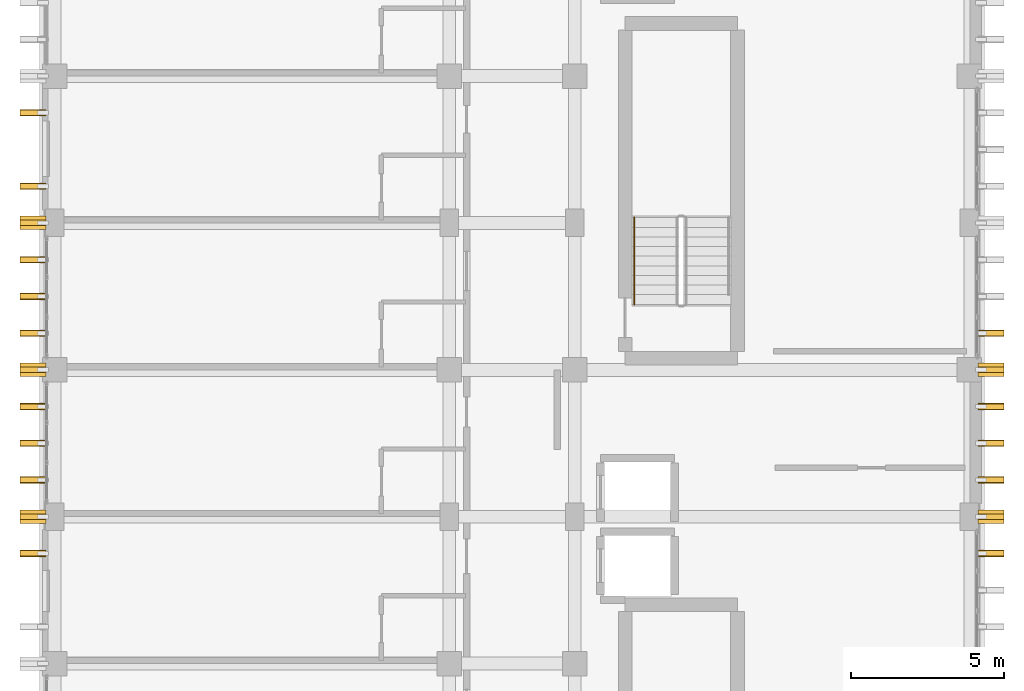
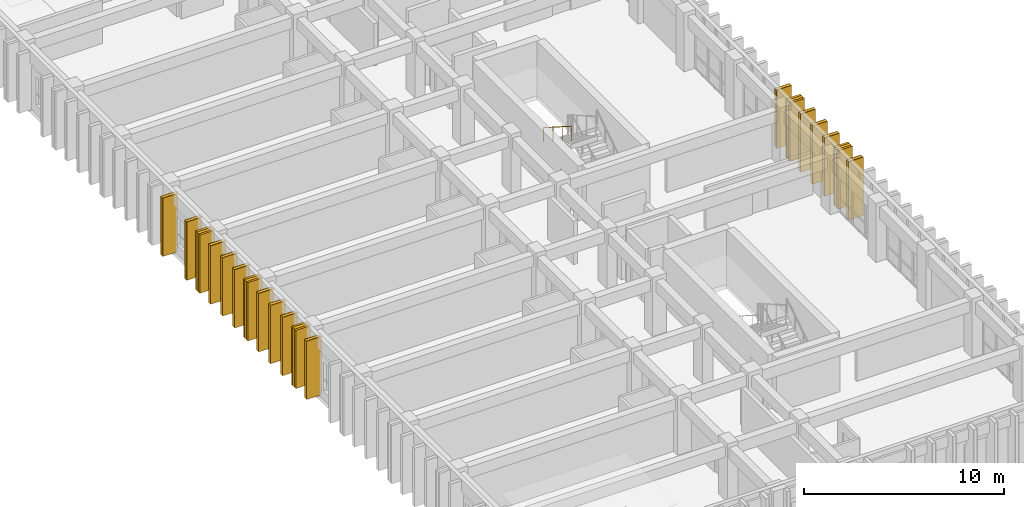
# One storey, part 74 of 82: 19 coverings, 19 shading devices, 1 railing.
"""IFC4 building model written with IfcOpenShell, lengths in metres."""

from ifc_helpers import new_model, si_unit, direction, frame, origin, origin_2d, place, context, subcontext, project, spatial, rectangle, circle, extrude, material, layer, layer_set, type_object, element, save


model = new_model("IFC4")

# Units and contexts
model_context = context("Model", 3, precision=1e-05, world=origin(), true_north=direction((0.0, 1.0)))
body_context = subcontext(model_context, "Body", "Model", "MODEL_VIEW")
ifc_project = project(units=[si_unit("LENGTHUNIT", "METRE"), si_unit("AREAUNIT", "SQUARE_METRE"), si_unit("VOLUMEUNIT", "CUBIC_METRE"), si_unit("PLANEANGLEUNIT", "RADIAN"), si_unit("MASSUNIT", "GRAM", prefix="KILO")], contexts=[model_context])

# Site, building, storey
site_placement = place(None, origin())
site = spatial("IfcSite", under=ifc_project, at=site_placement, CompositionType="ELEMENT")
building_placement = place(site_placement, origin())
building = spatial("IfcBuilding", under=site, at=building_placement, Name="Nakhvara Creek Congress Hotel", CompositionType="ELEMENT")
storey_placement = place(building_placement, frame((0.0, 0.0, 21.0)))
storey = spatial("IfcBuildingStorey", under=building, at=storey_placement, Name="L04", CompositionType="ELEMENT", Elevation=21.0)

# Coverings
ifc_material_1 = material(Name="Honed pale Omani limestone architectural cladding", Category="masonry")
ifc_layer = layer(ifc_material_1, 0.219970703125)
ifc_layer_set = layer_set([ifc_layer], Name="Honed pale Omani limestone architectural cladding")
covering_type = type_object("IfcCoveringType", Name="COV-FIN-850", PredefinedType="CLADDING", material=ifc_layer_set)
for number, where, z_axis, x_axis, name in (
    (1, (180.054931640625, 42.0, 0.0), (0.0, 0.0, 1.0), (0.0, 1.0, 0.0), "Pale Limestone Fin Cladding CF01-1237"),
    (2, (148.7451171875, 42.0, 0.0), (0.0, 0.0, 1.0), (0.0, 1.0, 0.0), "Pale Limestone Fin Cladding CF01-1238"),
):
    element("IfcCovering", number, at=place(storey_placement, frame(where, z_axis=z_axis, x_axis=x_axis)), inside=storey, type_object=covering_type, Name=name, PredefinedType="CLADDING", context=body_context, shape_type="SweptSolid", body=[
        extrude(rectangle(XDim=0.219970703125, YDim=0.85009765625, at=origin_2d()), origin(), (0.0, 0.0, 1.0), 3.56005859375),
    ])
for number, where, z_axis, x_axis, name in (
    (3, (180.054931640625, 43.199951171875, 0.0), (0.0, 0.0, 1.0), (0.0, 1.0, 0.0), "Pale Limestone Fin Cladding CF01-1239"),
    (4, (148.7451171875, 43.199951171875, 0.0), (0.0, 0.0, 1.0), (0.0, 1.0, 0.0), "Pale Limestone Fin Cladding CF01-1240"),
):
    element("IfcCovering", number, at=place(storey_placement, frame(where, z_axis=z_axis, x_axis=x_axis)), inside=storey, type_object=covering_type, Name=name, PredefinedType="CLADDING", context=body_context, shape_type="SweptSolid", body=[
        extrude(rectangle(XDim=0.43994140625, YDim=0.85009765625, at=origin_2d()), origin(), (0.0, 0.0, 1.0), 3.56005859375),
    ])
for number, where, z_axis, x_axis, name in (
    (5, (180.054931640625, 44.39990234375, 0.0), (0.0, 0.0, 1.0), (0.0, 1.0, 0.0), "Pale Limestone Fin Cladding CF01-1241"),
    (6, (148.7451171875, 44.39990234375, 0.0), (0.0, 0.0, 1.0), (0.0, 1.0, 0.0), "Pale Limestone Fin Cladding CF01-1242"),
    (7, (180.054931640625, 45.60009765625, 0.0), (0.0, 0.0, 1.0), (0.0, 1.0, 0.0), "Pale Limestone Fin Cladding CF01-1243"),
    (8, (148.7451171875, 45.60009765625, 0.0), (0.0, 0.0, 1.0), (0.0, 1.0, 0.0), "Pale Limestone Fin Cladding CF01-1244"),
    (9, (180.054931640625, 46.800048828125, 0.0), (0.0, 0.0, 1.0), (0.0, 1.0, 0.0), "Pale Limestone Fin Cladding CF01-1245"),
    (10, (148.7451171875, 46.800048828125, 0.0), (0.0, 0.0, 1.0), (0.0, 1.0, 0.0), "Pale Limestone Fin Cladding CF01-1246"),
):
    element("IfcCovering", number, at=place(storey_placement, frame(where, z_axis=z_axis, x_axis=x_axis)), inside=storey, type_object=covering_type, Name=name, PredefinedType="CLADDING", context=body_context, shape_type="SweptSolid", body=[
        extrude(rectangle(XDim=0.219970703125, YDim=0.85009765625, at=origin_2d()), origin(), (0.0, 0.0, 1.0), 3.56005859375),
    ])
for number, where, z_axis, x_axis, name in (
    (11, (180.054931640625, 48.0, 0.0), (0.0, 0.0, 1.0), (0.0, 1.0, 0.0), "Pale Limestone Fin Cladding CF01-1247"),
    (12, (148.7451171875, 48.0, 0.0), (0.0, 0.0, 1.0), (0.0, 1.0, 0.0), "Pale Limestone Fin Cladding CF01-1248"),
):
    element("IfcCovering", number, at=place(storey_placement, frame(where, z_axis=z_axis, x_axis=x_axis)), inside=storey, type_object=covering_type, Name=name, PredefinedType="CLADDING", context=body_context, shape_type="SweptSolid", body=[
        extrude(rectangle(XDim=0.43994140625, YDim=0.85009765625, at=origin_2d()), origin(), (0.0, 0.0, 1.0), 3.56005859375),
    ])
for number, where, z_axis, x_axis, name in (
    (13, (180.054931640625, 49.199951171875, 0.0), (0.0, 0.0, 1.0), (0.0, 1.0, 0.0), "Pale Limestone Fin Cladding CF01-1249"),
    (14, (148.7451171875, 49.199951171875, 0.0), (0.0, 0.0, 1.0), (0.0, 1.0, 0.0), "Pale Limestone Fin Cladding CF01-1250"),
    (15, (148.7451171875, 50.39990234375, 0.0), (0.0, 0.0, 1.0), (0.0, 1.0, 0.0), "Pale Limestone Fin Cladding CF01-1252"),
    (16, (148.7451171875, 51.60009765625, 0.0), (0.0, 0.0, 1.0), (0.0, 1.0, 0.0), "Pale Limestone Fin Cladding CF01-1254"),
):
    element("IfcCovering", number, at=place(storey_placement, frame(where, z_axis=z_axis, x_axis=x_axis)), inside=storey, type_object=covering_type, Name=name, PredefinedType="CLADDING", context=body_context, shape_type="SweptSolid", body=[
        extrude(rectangle(XDim=0.219970703125, YDim=0.85009765625, at=origin_2d()), origin(), (0.0, 0.0, 1.0), 3.56005859375),
    ])
covering_placement = place(storey_placement, frame((148.7451171875, 52.800048828125, 0.0), z_axis=(0.0, 0.0, 1.0), x_axis=(0.0, 1.0, 0.0)))
element("IfcCovering", 17, at=covering_placement, inside=storey, type_object=covering_type, Name="Pale Limestone Fin Cladding CF01-1256", PredefinedType="CLADDING", context=body_context, shape_type="SweptSolid", body=[
    extrude(rectangle(XDim=0.43994140625, YDim=0.85009765625, at=origin_2d()), origin(), (0.0, 0.0, 1.0), 3.56005859375),
])
for number, where, z_axis, x_axis, name in (
    (18, (148.7451171875, 54.0, 0.0), (0.0, 0.0, 1.0), (0.0, 1.0, 0.0), "Pale Limestone Fin Cladding CF01-1258"),
    (19, (148.7451171875, 56.39990234375, 0.0), (0.0, 0.0, 1.0), (0.0, 1.0, 0.0), "Pale Limestone Fin Cladding CF01-1261"),
):
    element("IfcCovering", number, at=place(storey_placement, frame(where, z_axis=z_axis, x_axis=x_axis)), inside=storey, type_object=covering_type, Name=name, PredefinedType="CLADDING", context=body_context, shape_type="SweptSolid", body=[
        extrude(rectangle(XDim=0.219970703125, YDim=0.85009765625, at=origin_2d()), origin(), (0.0, 0.0, 1.0), 3.56005859375),
    ])

# Railing
ifc_material_2 = material(Name="Brushed stainless steel 316L", Category="steel")
railing_type = type_object("IfcRailingType", Name="RL-HAND-900", PredefinedType="HANDRAIL", material=ifc_material_2)
railing_placement = place(storey_placement, frame((168.39501953125, 52.97509765625, 1.97998046875)))
element("IfcRailing", 20, at=railing_placement, inside=storey, type_object=railing_type, Name="L04 ST04 stair handrail 2", PredefinedType="HANDRAIL", context=body_context, shape_type="SweptSolid", body=[
    extrude(circle(Radius=0.02392578125, at=origin_2d()), frame((0.0, -0.012451171875, 0.8837890625), z_axis=(0.0, -0.842742899579, 0.538316268757), x_axis=(1.0, 0.0, 0.0)), (0.0, 0.0, 1.0), 3.3349609375),
    extrude(circle(Radius=0.02099609375, at=origin_2d()), origin(), (0.0, 0.0, 1.0), 0.880615234375),
    extrude(circle(Radius=0.02099609375, at=origin_2d()), frame((0.0, -0.945068359375, 0.603759765625)), (0.0, 0.0, 1.0), 0.880615234375),
    extrude(circle(Radius=0.02099609375, at=origin_2d()), frame((0.0, -1.89013671875, 1.207275390625)), (0.0, 0.0, 1.0), 0.880615234375),
    extrude(circle(Radius=0.02099609375, at=origin_2d()), frame((0.0, -2.835205078125, 1.81103515625)), (0.0, 0.0, 1.0), 0.880615234375),
])

# Shading devices
ifc_material_3 = material(Name="Honed pale Omani limestone cladding on stainless steel spine", Category="masonry")
shading_device_type = type_object("IfcShadingDeviceType", Name="SHD-FIN-850X3600", PredefinedType="USERDEFINED", material=ifc_material_3)
for number, where, z_axis, x_axis, name in (
    (21, (180.054931640625, 42.0, 0.0), (0.0, 0.0, 1.0), (0.0, 1.0, 0.0), "Limestone Solar Fin FN01-1102"),
    (22, (148.7451171875, 42.0, 0.0), (0.0, 0.0, 1.0), (0.0, 1.0, 0.0), "Limestone Solar Fin FN01-1103"),
    (23, (180.054931640625, 43.199951171875, 0.0), (0.0, 0.0, 1.0), (0.0, 1.0, 0.0), "Limestone Solar Fin FN01-1104"),
    (24, (148.7451171875, 43.199951171875, 0.0), (0.0, 0.0, 1.0), (0.0, 1.0, 0.0), "Limestone Solar Fin FN01-1105"),
    (25, (180.054931640625, 44.39990234375, 0.0), (0.0, 0.0, 1.0), (0.0, 1.0, 0.0), "Limestone Solar Fin FN01-1106"),
    (26, (148.7451171875, 44.39990234375, 0.0), (0.0, 0.0, 1.0), (0.0, 1.0, 0.0), "Limestone Solar Fin FN01-1107"),
    (27, (180.054931640625, 45.60009765625, 0.0), (0.0, 0.0, 1.0), (0.0, 1.0, 0.0), "Limestone Solar Fin FN01-1108"),
    (28, (148.7451171875, 45.60009765625, 0.0), (0.0, 0.0, 1.0), (0.0, 1.0, 0.0), "Limestone Solar Fin FN01-1109"),
    (29, (180.054931640625, 46.800048828125, 0.0), (0.0, 0.0, 1.0), (0.0, 1.0, 0.0), "Limestone Solar Fin FN01-1110"),
    (30, (148.7451171875, 46.800048828125, 0.0), (0.0, 0.0, 1.0), (0.0, 1.0, 0.0), "Limestone Solar Fin FN01-1111"),
    (31, (180.054931640625, 48.0, 0.0), (0.0, 0.0, 1.0), (0.0, 1.0, 0.0), "Limestone Solar Fin FN01-1112"),
    (32, (148.7451171875, 48.0, 0.0), (0.0, 0.0, 1.0), (0.0, 1.0, 0.0), "Limestone Solar Fin FN01-1113"),
    (33, (180.054931640625, 49.199951171875, 0.0), (0.0, 0.0, 1.0), (0.0, 1.0, 0.0), "Limestone Solar Fin FN01-1114"),
    (34, (148.7451171875, 49.199951171875, 0.0), (0.0, 0.0, 1.0), (0.0, 1.0, 0.0), "Limestone Solar Fin FN01-1115"),
    (35, (148.7451171875, 50.39990234375, 0.0), (0.0, 0.0, 1.0), (0.0, 1.0, 0.0), "Limestone Solar Fin FN01-1117"),
    (36, (148.7451171875, 51.60009765625, 0.0), (0.0, 0.0, 1.0), (0.0, 1.0, 0.0), "Limestone Solar Fin FN01-1119"),
    (37, (148.7451171875, 52.800048828125, 0.0), (0.0, 0.0, 1.0), (0.0, 1.0, 0.0), "Limestone Solar Fin FN01-1121"),
    (38, (148.7451171875, 54.0, 0.0), (0.0, 0.0, 1.0), (0.0, 1.0, 0.0), "Limestone Solar Fin FN01-1123"),
    (39, (148.7451171875, 56.39990234375, 0.0), (0.0, 0.0, 1.0), (0.0, 1.0, 0.0), "Limestone Solar Fin FN01-1126"),
):
    element("IfcShadingDevice", number, at=place(storey_placement, frame(where, z_axis=z_axis, x_axis=x_axis)), inside=storey, type_object=shading_device_type, Name=name, ObjectType="FIN", PredefinedType="USERDEFINED", context=body_context, shape_type="SweptSolid", body=[
        extrude(rectangle(XDim=0.179931640625, YDim=0.85009765625, at=origin_2d()), origin(), (0.0, 0.0, 1.0), 3.56005859375),
    ])

save(model, "model.ifc")
